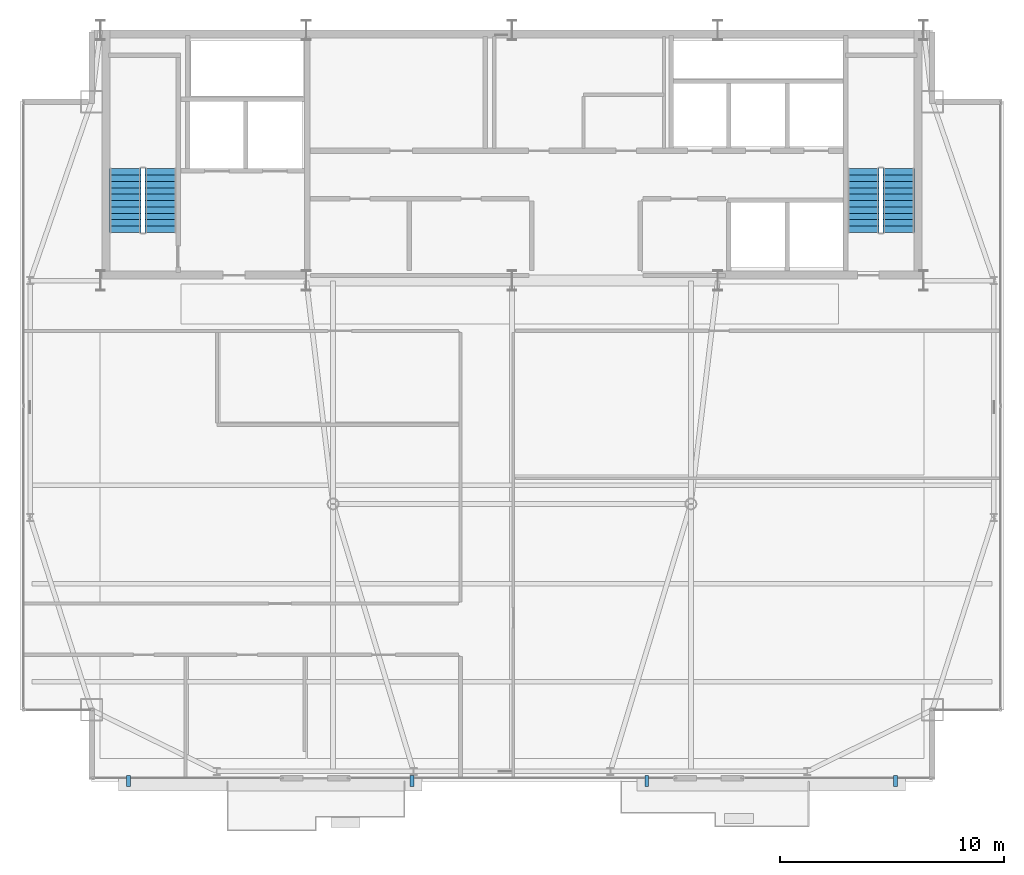
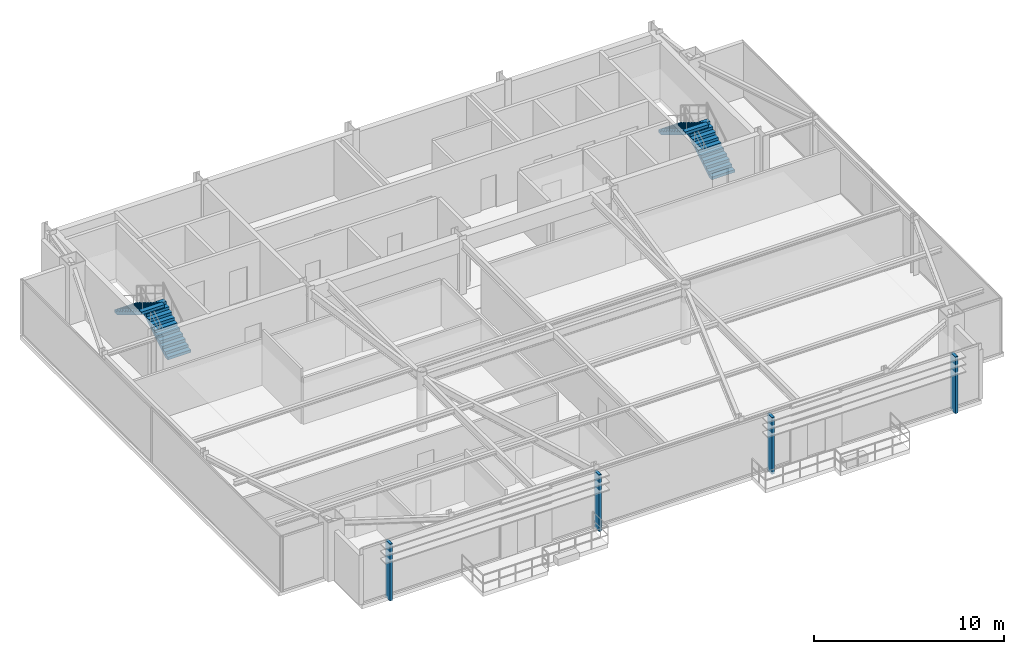
# One storey, part 22 of 24: 4 discrete accessories, 4 stair flights, 2 elements without a shape of their own.
"""IFC4 building model written with IfcOpenShell, lengths in metres."""

from ifc_helpers import new_model, si_unit, direction, frame, origin, origin_2d, place, context, subcontext, project, spatial, polyline, rectangle, outline, extrude, source, transform, mapped, material, layer, layer_set, type_object, type_shapes, element, aggregate, save


model = new_model("IFC4")

# Units and contexts
model_context = context("Model", 3, precision=1e-05, world=origin(), true_north=direction((0.0, 1.0)))
body_context = subcontext(model_context, "Body", "Model", "MODEL_VIEW")
ifc_project = project(units=[si_unit("LENGTHUNIT", "METRE"), si_unit("AREAUNIT", "SQUARE_METRE"), si_unit("VOLUMEUNIT", "CUBIC_METRE"), si_unit("PLANEANGLEUNIT", "RADIAN"), si_unit("MASSUNIT", "GRAM", prefix="KILO")], contexts=[model_context])

# Site, building, storey
site_placement = place(None, origin())
site = spatial("IfcSite", under=ifc_project, at=site_placement, CompositionType="ELEMENT")
building_placement = place(site_placement, origin())
building = spatial("IfcBuilding", under=site, at=building_placement, Name="Varnel Quay Broadcast Tower", CompositionType="ELEMENT")
storey_placement = place(building_placement, frame((0.0, 0.0, 281.199951171875)))
storey = spatial("IfcBuildingStorey", under=building, at=storey_placement, Name="L70", CompositionType="ELEMENT", Elevation=281.199951171875)

# Stair, stair flights
ifc_material_1 = material(Name="Precast Structural Concrete C40/50", Category="concrete")
stair_type_1 = type_object("IfcStairType", Name="Stair_ST-01", PredefinedType="HALF_TURN_STAIR", material=ifc_material_1)
stair_1_placement = place(storey_placement, origin())
stair_1 = element("IfcStair", 1, at=stair_1_placement, inside=storey, type_object=stair_type_1, Name="L70 West Core Exit Stair 1", PredefinedType="HALF_TURN_STAIR")
stair_flight_type_1 = type_object("IfcStairFlightType", Name="Flight_ST-01", PredefinedType="STRAIGHT", material=ifc_material_1)
stair_flight_1_placement = place(storey_placement, frame((18.300048828125, 37.75, 0.0), z_axis=(0.0, 0.0, 1.0), x_axis=(0.0, 1.0, 0.0)))
stair_flight_1 = element("IfcStairFlight", 2, at=stair_flight_1_placement, type_object=stair_flight_type_1, Name="ST-01 flight 1", NumberOfRisers=11, NumberOfTreads=10, PredefinedType="STRAIGHT", RiserHeight=0.172727273, TreadLength=0.285, context=body_context, shape_type="SweptSolid", body=[
    extrude(outline(polyline([(0.0, 0.0), (0.0, 0.172607421875), (0.284912109375, 0.172607421875), (0.284912109375, 0.345458984375), (0.570068359375, 0.345458984375), (0.570068359375, 0.51806640625), (0.85498046875, 0.51806640625), (0.85498046875, 0.69091796875), (1.139892578125, 0.69091796875), (1.139892578125, 0.863525390625), (1.425048828125, 0.863525390625), (1.425048828125, 1.036376953125), (1.7099609375, 1.036376953125), (1.7099609375, 1.208984375), (1.9951171875, 1.208984375), (1.9951171875, 1.3818359375), (2.280029296875, 1.3818359375), (2.280029296875, 1.554443359375), (2.56494140625, 1.554443359375), (2.56494140625, 1.727294921875), (2.85009765625, 1.727294921875), (2.85009765625, 1.89990234375), (2.85009765625, 1.552001953125), (0.289306640625, 0.0), (0.0, 0.0)])), frame((0.0, 0.699951171875, 0.0), z_axis=(0.0, -1.0, 0.0), x_axis=(1.0, 0.0, 0.0)), (0.0, 0.0, 1.0), 1.39990234375),
])
stair_flight_2_placement = place(storey_placement, frame((16.699951171875, 40.60009765625, 1.900146484375), z_axis=(0.0, 0.0, 1.0), x_axis=(0.0, -1.0, 0.0)))
stair_flight_2 = element("IfcStairFlight", 3, at=stair_flight_2_placement, type_object=stair_flight_type_1, Name="ST-01 flight 2", NumberOfRisers=11, NumberOfTreads=10, PredefinedType="STRAIGHT", RiserHeight=0.172727273, TreadLength=0.285, context=body_context, shape_type="SweptSolid", body=[
    extrude(outline(polyline([(0.0, 0.0), (0.0, 0.172607421875), (0.284912109375, 0.172607421875), (0.284912109375, 0.345458984375), (0.570068359375, 0.345458984375), (0.570068359375, 0.51806640625), (0.85498046875, 0.51806640625), (0.85498046875, 0.69091796875), (1.139892578125, 0.69091796875), (1.139892578125, 0.863525390625), (1.425048828125, 0.863525390625), (1.425048828125, 1.036376953125), (1.7099609375, 1.036376953125), (1.7099609375, 1.208984375), (1.9951171875, 1.208984375), (1.9951171875, 1.3818359375), (2.280029296875, 1.3818359375), (2.280029296875, 1.554443359375), (2.56494140625, 1.554443359375), (2.56494140625, 1.727294921875), (2.85009765625, 1.727294921875), (2.85009765625, 1.89990234375), (2.85009765625, 1.552001953125), (0.289306640625, 0.0), (0.0, 0.0)])), frame((0.0, 0.699951171875, 0.0), z_axis=(0.0, -1.0, 0.0), x_axis=(1.0, 0.0, 0.0)), (0.0, 0.0, 1.0), 1.39990234375),
])
aggregate(stair_1, [stair_flight_1, stair_flight_2])

stair_type_2 = type_object("IfcStairType", Name="Stair_ST-02", PredefinedType="HALF_TURN_STAIR", material=ifc_material_1)
stair_2_placement = place(storey_placement, origin())
stair_2 = element("IfcStair", 4, at=stair_2_placement, inside=storey, type_object=stair_type_2, Name="L70 East Core Exit Stair 2", PredefinedType="HALF_TURN_STAIR")
stair_flight_type_2 = type_object("IfcStairFlightType", Name="Flight_ST-02", PredefinedType="STRAIGHT", material=ifc_material_1)
stair_flight_3_placement = place(storey_placement, frame((51.300048828125, 37.75, 0.0), z_axis=(0.0, 0.0, 1.0), x_axis=(0.0, 1.0, 0.0)))
stair_flight_3 = element("IfcStairFlight", 5, at=stair_flight_3_placement, type_object=stair_flight_type_2, Name="ST-02 flight 1", NumberOfRisers=11, NumberOfTreads=10, PredefinedType="STRAIGHT", RiserHeight=0.172727273, TreadLength=0.285, context=body_context, shape_type="SweptSolid", body=[
    extrude(outline(polyline([(0.0, 0.0), (0.0, 0.172607421875), (0.284912109375, 0.172607421875), (0.284912109375, 0.345458984375), (0.570068359375, 0.345458984375), (0.570068359375, 0.51806640625), (0.85498046875, 0.51806640625), (0.85498046875, 0.69091796875), (1.139892578125, 0.69091796875), (1.139892578125, 0.863525390625), (1.425048828125, 0.863525390625), (1.425048828125, 1.036376953125), (1.7099609375, 1.036376953125), (1.7099609375, 1.208984375), (1.9951171875, 1.208984375), (1.9951171875, 1.3818359375), (2.280029296875, 1.3818359375), (2.280029296875, 1.554443359375), (2.56494140625, 1.554443359375), (2.56494140625, 1.727294921875), (2.85009765625, 1.727294921875), (2.85009765625, 1.89990234375), (2.85009765625, 1.552001953125), (0.289306640625, 0.0), (0.0, 0.0)])), frame((0.0, 0.699951171875, 0.0), z_axis=(0.0, -1.0, 0.0), x_axis=(1.0, 0.0, 0.0)), (0.0, 0.0, 1.0), 1.39990234375),
])
stair_flight_4_placement = place(storey_placement, frame((49.699951171875, 40.60009765625, 1.900146484375), z_axis=(0.0, 0.0, 1.0), x_axis=(0.0, -1.0, 0.0)))
stair_flight_4 = element("IfcStairFlight", 6, at=stair_flight_4_placement, type_object=stair_flight_type_2, Name="ST-02 flight 2", NumberOfRisers=11, NumberOfTreads=10, PredefinedType="STRAIGHT", RiserHeight=0.172727273, TreadLength=0.285, context=body_context, shape_type="SweptSolid", body=[
    extrude(outline(polyline([(0.0, 0.0), (0.0, 0.172607421875), (0.284912109375, 0.172607421875), (0.284912109375, 0.345458984375), (0.570068359375, 0.345458984375), (0.570068359375, 0.51806640625), (0.85498046875, 0.51806640625), (0.85498046875, 0.69091796875), (1.139892578125, 0.69091796875), (1.139892578125, 0.863525390625), (1.425048828125, 0.863525390625), (1.425048828125, 1.036376953125), (1.7099609375, 1.036376953125), (1.7099609375, 1.208984375), (1.9951171875, 1.208984375), (1.9951171875, 1.3818359375), (2.280029296875, 1.3818359375), (2.280029296875, 1.554443359375), (2.56494140625, 1.554443359375), (2.56494140625, 1.727294921875), (2.85009765625, 1.727294921875), (2.85009765625, 1.89990234375), (2.85009765625, 1.552001953125), (0.289306640625, 0.0), (0.0, 0.0)])), frame((0.0, 0.699951171875, 0.0), z_axis=(0.0, -1.0, 0.0), x_axis=(1.0, 0.0, 0.0)), (0.0, 0.0, 1.0), 1.39990234375),
])
aggregate(stair_2, [stair_flight_3, stair_flight_4])

# Discrete accessories
ifc_material_2 = material(Name="Anodised Bronze Aluminium 6063-T6", Category="aluminium")
ifc_layer = layer(ifc_material_2, 0.47998046875, Name="Anodised Bronze Aluminium 6063-T6")
ifc_layer_set = layer_set([ifc_layer], Name="Anodised Bronze Aluminium 6063-T6")
discrete_accessory_type = type_object("IfcDiscreteAccessoryType", Name="Acc_FacadeBracket", PredefinedType="BRACKET", material=ifc_layer_set)
shared_shape = source(origin(), body_context, "Body", "SweptSolid", [
    extrude(rectangle(XDim=0.159912109375, YDim=0.47998046875, at=origin_2d()), origin(), (0.0, 0.0, 1.0), 3.64990234375),
])
type_shapes(discrete_accessory_type, [shared_shape])
for number, where, z_axis, x_axis, name in (
    (7, (16.85009765625, 13.219970703125, -0.14990234375), (0.0, 0.0, 1.0), (1.0, 0.0, 0.0), "L70 Lobe 1 Louvre Support Bracket 1"),
    (8, (29.529052734375, 13.219970703125, -0.14990234375), (0.0, 0.0, 1.0), (1.0, 0.0, 0.0), "L70 Lobe 1 Louvre Support Bracket 2"),
    (9, (40.029052734375, 13.219970703125, -0.14990234375), (0.0, 0.0, 1.0), (1.0, 0.0, 0.0), "L70 Lobe 2 Louvre Support Bracket 1"),
    (10, (51.14990234375, 13.219970703125, -0.14990234375), (0.0, 0.0, 1.0), (1.0, 0.0, 0.0), "L70 Lobe 2 Louvre Support Bracket 2"),
):
    element("IfcDiscreteAccessory", number, at=place(storey_placement, frame(where, z_axis=z_axis, x_axis=x_axis)), inside=storey, type_object=discrete_accessory_type, Name=name, PredefinedType="BRACKET", context=body_context, shape_type="MappedRepresentation", body=[
        mapped(shared_shape, transform((0.0, 0.0, 0.0), x_axis=(1.0, 0.0, 0.0), y_axis=(0.0, 1.0, 0.0), z_axis=(0.0, 0.0, 1.0), scale=1.0)),
    ])

save(model, "model.ifc")
